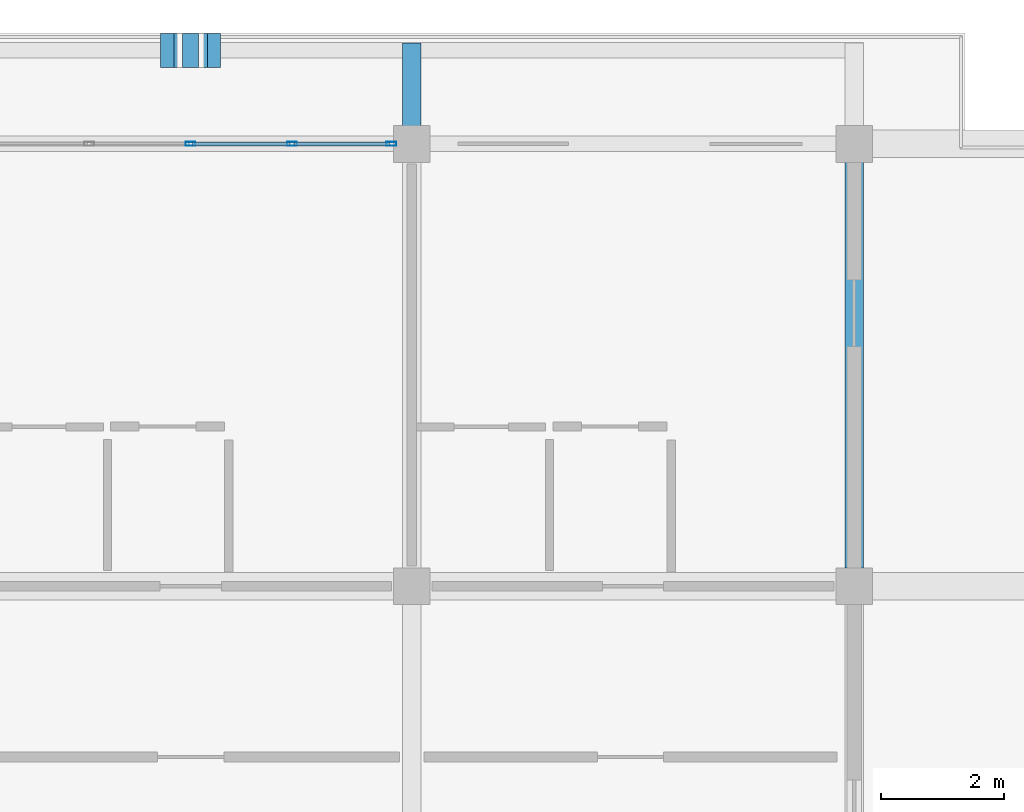
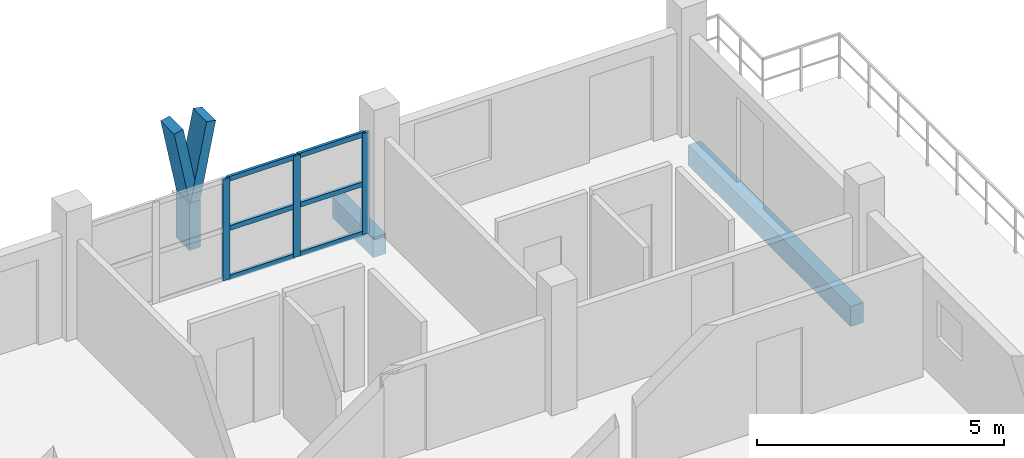
# One storey, part 15 of 56: 12 members, 2 beams, 1 element without a shape of its own.
"""IFC4 building model written with IfcOpenShell, lengths in metres."""

from ifc_helpers import new_model, si_unit, direction, frame, origin, origin_2d, place, context, subcontext, project, spatial, rectangle, hollow_rectangle, extrude, material, material_profile, profile_set, type_object, element, aggregate, save


model = new_model("IFC4")

# Units and contexts
model_context = context("Model", 3, precision=1e-05, world=origin(), true_north=direction((0.0, 1.0)))
body_context = subcontext(model_context, "Body", "Model", "MODEL_VIEW")
ifc_project = project(units=[si_unit("LENGTHUNIT", "METRE"), si_unit("AREAUNIT", "SQUARE_METRE"), si_unit("VOLUMEUNIT", "CUBIC_METRE"), si_unit("PLANEANGLEUNIT", "RADIAN"), si_unit("MASSUNIT", "GRAM", prefix="KILO")], contexts=[model_context])

# Site, building, storey
site_placement = place(None, origin())
site = spatial("IfcSite", under=ifc_project, at=site_placement, CompositionType="ELEMENT")
building_placement = place(site_placement, origin())
building = spatial("IfcBuilding", under=site, at=building_placement, Name="Suanplinth Sawtooth Commons", CompositionType="ELEMENT")
storey_placement = place(building_placement, frame((0.0, 0.0, 34.800048828125)))
storey = spatial("IfcBuildingStorey", under=building, at=storey_placement, Name="L10", CompositionType="ELEMENT", Elevation=34.800048828125)

# Beams
ifc_material_1 = material(Name="Precast concrete C40/50", Category="concrete")
ifc_material_profile_1 = material_profile(ifc_material_1, rectangle(XDim=0.300048828125, YDim=0.5, at=origin_2d()), Name="PC-BM 300x500")
ifc_profile_set_1 = profile_set([ifc_material_profile_1], Name="Precast concrete C40/50")
beam_type = type_object("IfcBeamType", Name="B-07", PredefinedType="BEAM", material=ifc_profile_set_1)
beam_1_placement = place(storey_placement, frame((93.60009765625, 115.5, -0.469970703125), z_axis=(0.0, 1.0, 0.0), x_axis=(-1.0, 0.0, 0.0)))
element("IfcBeam", 1, at=beam_1_placement, inside=storey, type_object=beam_type, Name="BMY-L10-A-13-16", PredefinedType="BEAM", context=body_context, shape_type="SweptSolid", body=[
    extrude(rectangle(XDim=0.300048828125, YDim=0.5, at=origin_2d()), origin(), (0.0, 0.0, 1.0), 6.60009765625),
])
beam_2_placement = place(storey_placement, frame((86.39990234375, 122.39990234375, -0.429931640625), z_axis=(0.0, 1.0, 0.0), x_axis=(-1.0, 0.0, 0.0)))
element("IfcBeam", 2, at=beam_2_placement, inside=storey, type_object=beam_type, Name="Balcony Outrigger L10-A-N-12", PredefinedType="BEAM", context=body_context, shape_type="SweptSolid", body=[
    extrude(rectangle(XDim=0.300048828125, YDim=0.5, at=origin_2d()), origin(), (0.0, 0.0, 1.0), 1.64013671875),
])

# Members
ifc_material_2 = material(Name="Pigmented precast concrete C40/50", Category="concrete")
ifc_material_profile_2 = material_profile(ifc_material_2, rectangle(XDim=0.260009765625, YDim=0.550048828125, at=origin_2d()), Name="PC-FIN 260x550")
ifc_profile_set_2 = profile_set([ifc_material_profile_2], Name="Pigmented precast concrete C40/50")
member_type_1 = type_object("IfcMemberType", Name="M-09", PredefinedType="USERDEFINED", material=ifc_profile_set_2)
member_1_placement = place(storey_placement, frame((82.800048828125, 123.919921875, 0.0), z_axis=(0.0, 0.0, 1.0), x_axis=(1.0, 0.0, 0.0)))
element("IfcMember", 3, at=member_1_placement, inside=storey, type_object=member_type_1, Name="Y-Blade Stem L10-A-N-05", ObjectType="SHADING FIN", PredefinedType="USERDEFINED", context=body_context, shape_type="SweptSolid", body=[
    extrude(rectangle(XDim=0.260009765625, YDim=0.550048828125, at=origin_2d()), origin(), (0.0, 0.0, 1.0), 1.169921875),
])
ifc_material_profile_3 = material_profile(ifc_material_2, rectangle(XDim=0.219970703125, YDim=0.550048828125, at=origin_2d()), Name="PC-FIN 220x550")
ifc_profile_set_3 = profile_set([ifc_material_profile_3], Name="Pigmented precast concrete C40/50")
member_type_2 = type_object("IfcMemberType", Name="M-10", PredefinedType="USERDEFINED", material=ifc_profile_set_3)
member_2_placement = place(storey_placement, frame((82.800048828125, 123.919921875, 1.1298828125), z_axis=(-0.196406855569, 0.0, 0.980522486782), x_axis=(0.980522486782, 0.0, 0.196406855569)))
element("IfcMember", 4, at=member_2_placement, inside=storey, type_object=member_type_2, Name="Y-Blade Arm L L10-A-N-05", ObjectType="SHADING FIN", PredefinedType="USERDEFINED", context=body_context, shape_type="SweptSolid", body=[
    extrude(rectangle(XDim=0.219970703125, YDim=0.550048828125, at=origin_2d()), origin(), (0.0, 0.0, 1.0), 1.93798828125),
])
member_3_placement = place(storey_placement, frame((82.800048828125, 123.919921875, 1.1298828125), z_axis=(0.196285728346, 0.0, 0.980546741796), x_axis=(-0.980546741796, 0.0, 0.196285728346)))
element("IfcMember", 5, at=member_3_placement, inside=storey, type_object=member_type_2, Name="Y-Blade Arm R L10-A-N-05", ObjectType="SHADING FIN", PredefinedType="USERDEFINED", context=body_context, shape_type="SweptSolid", body=[
    extrude(rectangle(XDim=0.219970703125, YDim=0.550048828125, at=origin_2d()), origin(), (0.0, 0.0, 1.0), 1.937744140625),
])

# Curtain wall, members
ifc_material_3 = material(Name="Anodized aluminium and low-E glazing", Category="aluminium")
curtain_wall_type = type_object("IfcCurtainWallType", Name="CW-06", PredefinedType="USERDEFINED", material=ifc_material_3)
curtain_wall_placement = place(storey_placement, origin())
curtain_wall = element("IfcCurtainWall", 6, at=curtain_wall_placement, inside=storey, type_object=curtain_wall_type, Name="Curtain Wall CW-L10-A-LOUNGE-8", ObjectType="CURTAIN WALL", PredefinedType="USERDEFINED")
ifc_material_4 = material(Name="Anodized aluminium 6063-T6", Category="aluminium")
ifc_material_profile_4 = material_profile(ifc_material_4, hollow_rectangle(XDim=0.06494140625, YDim=0.159912109375, WallThickness=0.00390625, at=origin_2d()), Name="ALU-MUL 65x160")
ifc_profile_set_4 = profile_set([ifc_material_profile_4], Name="Anodized aluminium 6063-T6")
member_type_3 = type_object("IfcMemberType", Name="M-13", PredefinedType="MULLION", material=ifc_profile_set_4)
member_4_placement = place(storey_placement, frame((82.800048828125, 122.39990234375, 0.0), z_axis=(0.0, 0.0, 1.0), x_axis=(0.0, 1.0, 0.0)))
member_4 = element("IfcMember", 7, at=member_4_placement, type_object=member_type_3, Name="CW-06 mullion 3", PredefinedType="MULLION", context=body_context, shape_type="SweptSolid", body=[
    extrude(hollow_rectangle(XDim=0.06494140625, YDim=0.159912109375, WallThickness=0.00390625, at=origin_2d()), origin(), (0.0, 0.0, 1.0), 2.510009765625),
])
member_5_placement = place(storey_placement, frame((84.449951171875, 122.39990234375, 0.0), z_axis=(0.0, 0.0, 1.0), x_axis=(0.0, 1.0, 0.0)))
member_5 = element("IfcMember", 8, at=member_5_placement, type_object=member_type_3, Name="CW-06 mullion 4", PredefinedType="MULLION", context=body_context, shape_type="SweptSolid", body=[
    extrude(hollow_rectangle(XDim=0.06494140625, YDim=0.159912109375, WallThickness=0.00390625, at=origin_2d()), origin(), (0.0, 0.0, 1.0), 2.510009765625),
])
member_6_placement = place(storey_placement, frame((86.0673828125, 122.39990234375, 0.0), z_axis=(0.0, 0.0, 1.0), x_axis=(0.0, 1.0, 0.0)))
member_6 = element("IfcMember", 9, at=member_6_placement, type_object=member_type_3, Name="CW-06 mullion 5", PredefinedType="MULLION", context=body_context, shape_type="SweptSolid", body=[
    extrude(hollow_rectangle(XDim=0.06494140625, YDim=0.159912109375, WallThickness=0.00390625, at=origin_2d()), origin(), (0.0, 0.0, 1.0), 2.510009765625),
])
ifc_material_profile_5 = material_profile(ifc_material_4, hollow_rectangle(XDim=0.06494140625, YDim=0.1201171875, WallThickness=0.00390625, at=origin_2d()), Name="ALU-TRN 65x120")
ifc_profile_set_5 = profile_set([ifc_material_profile_5], Name="Anodized aluminium 6063-T6")
member_type_4 = type_object("IfcMemberType", Name="M-15", PredefinedType="USERDEFINED", material=ifc_profile_set_5)
member_7_placement = place(storey_placement, frame((82.83251953125, 122.39990234375, 0.032470703125), z_axis=(1.0, 0.0, 0.0), x_axis=(0.0, 1.0, 0.0)))
member_7 = element("IfcMember", 10, at=member_7_placement, type_object=member_type_4, Name="CW-06 transom 3.1", ObjectType="TRANSOM", PredefinedType="USERDEFINED", context=body_context, shape_type="SweptSolid", body=[
    extrude(hollow_rectangle(XDim=0.06494140625, YDim=0.1201171875, WallThickness=0.00390625, at=origin_2d()), origin(), (0.0, 0.0, 1.0), 1.5849609375),
])
member_8_placement = place(storey_placement, frame((82.83251953125, 122.39990234375, 1.2548828125), z_axis=(1.0, 0.0, 0.0), x_axis=(0.0, 1.0, 0.0)))
member_8 = element("IfcMember", 11, at=member_8_placement, type_object=member_type_4, Name="CW-06 transom 3.2", ObjectType="TRANSOM", PredefinedType="USERDEFINED", context=body_context, shape_type="SweptSolid", body=[
    extrude(hollow_rectangle(XDim=0.06494140625, YDim=0.1201171875, WallThickness=0.00390625, at=origin_2d()), origin(), (0.0, 0.0, 1.0), 1.5849609375),
])
member_9_placement = place(storey_placement, frame((82.83251953125, 122.39990234375, 2.4775390625), z_axis=(1.0, 0.0, 0.0), x_axis=(0.0, 1.0, 0.0)))
member_9 = element("IfcMember", 12, at=member_9_placement, type_object=member_type_4, Name="CW-06 transom 3.3", ObjectType="TRANSOM", PredefinedType="USERDEFINED", context=body_context, shape_type="SweptSolid", body=[
    extrude(hollow_rectangle(XDim=0.06494140625, YDim=0.1201171875, WallThickness=0.00390625, at=origin_2d()), origin(), (0.0, 0.0, 1.0), 1.5849609375),
])
member_10_placement = place(storey_placement, frame((84.482421875, 122.39990234375, 0.032470703125), z_axis=(1.0, 0.0, 0.0), x_axis=(0.0, 1.0, 0.0)))
member_10 = element("IfcMember", 13, at=member_10_placement, type_object=member_type_4, Name="CW-06 transom 4.1", ObjectType="TRANSOM", PredefinedType="USERDEFINED", context=body_context, shape_type="SweptSolid", body=[
    extrude(hollow_rectangle(XDim=0.06494140625, YDim=0.1201171875, WallThickness=0.00390625, at=origin_2d()), origin(), (0.0, 0.0, 1.0), 1.552490234375),
])
member_11_placement = place(storey_placement, frame((84.482421875, 122.39990234375, 1.2548828125), z_axis=(1.0, 0.0, 0.0), x_axis=(0.0, 1.0, 0.0)))
member_11 = element("IfcMember", 14, at=member_11_placement, type_object=member_type_4, Name="CW-06 transom 4.2", ObjectType="TRANSOM", PredefinedType="USERDEFINED", context=body_context, shape_type="SweptSolid", body=[
    extrude(hollow_rectangle(XDim=0.06494140625, YDim=0.1201171875, WallThickness=0.00390625, at=origin_2d()), origin(), (0.0, 0.0, 1.0), 1.552490234375),
])
member_12_placement = place(storey_placement, frame((84.482421875, 122.39990234375, 2.4775390625), z_axis=(1.0, 0.0, 0.0), x_axis=(0.0, 1.0, 0.0)))
member_12 = element("IfcMember", 15, at=member_12_placement, type_object=member_type_4, Name="CW-06 transom 4.3", ObjectType="TRANSOM", PredefinedType="USERDEFINED", context=body_context, shape_type="SweptSolid", body=[
    extrude(hollow_rectangle(XDim=0.06494140625, YDim=0.1201171875, WallThickness=0.00390625, at=origin_2d()), origin(), (0.0, 0.0, 1.0), 1.552490234375),
])
aggregate(curtain_wall, [member_4, member_5, member_6, member_7, member_8, member_9, member_10, member_11, member_12])

save(model, "model.ifc")
